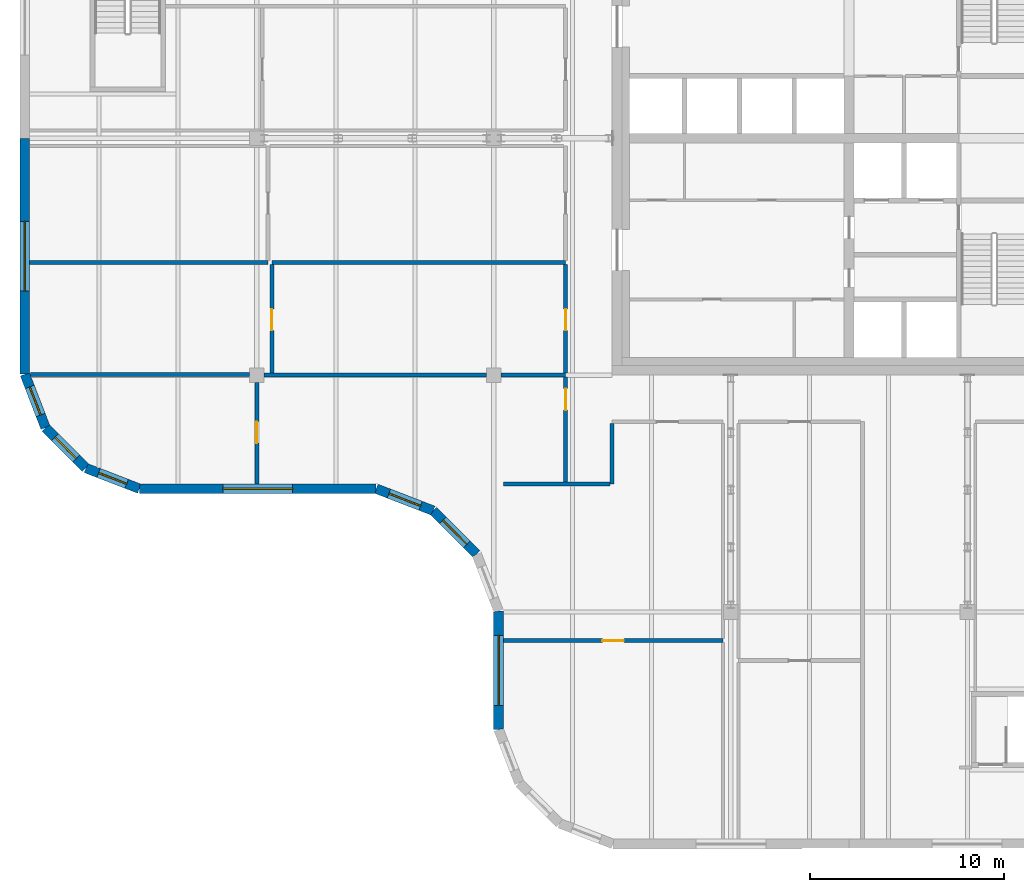
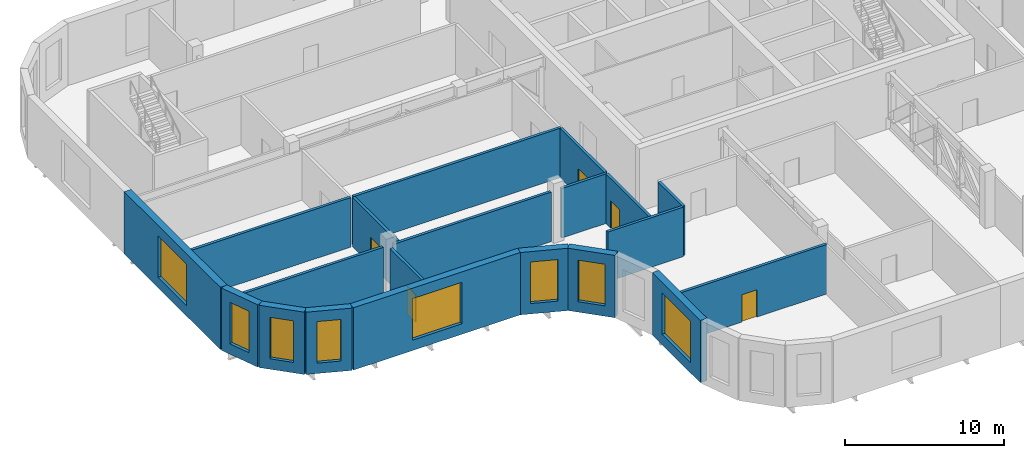
# One storey, part 5 of 12: 20 walls, 8 windows, 5 doors, 13 openings.
"""IFC4 building model written with IfcOpenShell, lengths in metres."""

import ifcopenshell
import ifcopenshell.guid

model = None  # the IFC model being written
_history = None  # IfcOwnerHistory: only IFC2X3 demands one
_inside = {}  # id of a spatial element -> (the spatial element, [elements in it])
_under = {}  # id of a project, library or spatial element -> (it, [spatial elements below it])
_declared = {}  # id of a project -> (the project, [libraries it declares])
_typed = {}  # id of a type object -> (the type object, [elements of that type])
_made_of = {}  # id of a material, layer set ... -> (it, [elements and type objects made of it])


def new_model(schema):
    """Start an empty IFC model of exactly this schema.

    Asked for "IFC4X3", IfcOpenShell would pick the latest addendum, in which some entities
    have other attributes; the version numbers below select the first issue.
    IFC2X3 requires an IfcOwnerHistory on every rooted entity: one is made here for all.
    """
    global model, _history
    if schema == "IFC4X3":
        model = ifcopenshell.file(schema_version=(4, 3, 0, 0))
    else:
        model = ifcopenshell.file(schema=schema)
    _inside.clear()
    _under.clear()
    _declared.clear()
    _typed.clear()
    _made_of.clear()
    _history = None
    if model.schema == "IFC2X3":
        org = make("IfcOrganization", Name="unknown")
        user = make(
            "IfcPersonAndOrganization",
            ThePerson=make("IfcPerson", FamilyName="unknown"),
            TheOrganization=org,
        )
        app = make(
            "IfcApplication",
            ApplicationDeveloper=org,
            Version="unknown",
            ApplicationFullName="unknown",
            ApplicationIdentifier="unknown",
        )
        _history = make(
            "IfcOwnerHistory",
            OwningUser=user,
            OwningApplication=app,
            ChangeAction="ADDED",
            CreationDate=0,
        )
    return model


def make(cls, **values):
    """One entity of the class cls with the attributes given. An attribute that is None is left unset."""
    return model.create_entity(
        cls, **{name: value for name, value in values.items() if value is not None}
    )


def rooted(cls, **values):
    """An entity with a GlobalId (a new one), such as an element, a storey or a relation."""
    return make(cls, GlobalId=ifcopenshell.guid.new(), OwnerHistory=_history, **values)


def si_unit(unit_type, name, prefix=None):
    """IfcSIUnit, for example si_unit("LENGTHUNIT", "METRE", prefix="MILLI")."""
    return make("IfcSIUnit", UnitType=unit_type, Prefix=prefix, Name=name)


def assignment(units):
    """IfcUnitAssignment: the units of a project."""
    return None if units is None else make("IfcUnitAssignment", Units=units)


def point(xyz):
    """IfcCartesianPoint."""
    return None if xyz is None else make("IfcCartesianPoint", Coordinates=xyz)


def direction(xyz):
    """IfcDirection."""
    return None if xyz is None else make("IfcDirection", DirectionRatios=xyz)


def frame(location, z_axis=None, x_axis=None):
    """IfcAxis2Placement3D, a coordinate frame: its origin and axes. An axis left out is left unset."""
    return make(
        "IfcAxis2Placement3D",
        Location=point(location),
        Axis=direction(z_axis),
        RefDirection=direction(x_axis),
    )


def frame_2d(location, x_axis=None):
    """IfcAxis2Placement2D, a coordinate frame in the plane: its origin and x axis."""
    return make(
        "IfcAxis2Placement2D", Location=point(location), RefDirection=direction(x_axis)
    )


def origin():
    """The frame at (0, 0, 0) with its axes left unset."""
    return frame((0.0, 0.0, 0.0))


def place(relative_to, where):
    """IfcLocalPlacement: puts the frame where relative to a parent placement (None: the world)."""
    return make(
        "IfcLocalPlacement", PlacementRelTo=relative_to, RelativePlacement=where
    )


def context(
    kind, dimensions, precision=None, world=None, true_north=None, identifier=None
):
    """IfcGeometricRepresentationContext, for example the 3D "Model" context."""
    return make(
        "IfcGeometricRepresentationContext",
        ContextIdentifier=identifier,
        ContextType=kind,
        CoordinateSpaceDimension=dimensions,
        Precision=precision,
        WorldCoordinateSystem=world,
        TrueNorth=true_north,
    )


def subcontext(parent, identifier, kind, view, scale=None):
    """IfcGeometricRepresentationSubContext, for example "Body" below "Model"."""
    return make(
        "IfcGeometricRepresentationSubContext",
        ContextIdentifier=identifier,
        ContextType=kind,
        ParentContext=parent,
        TargetScale=scale,
        TargetView=view,
    )


def project(units=None, contexts=None):
    """IfcProject with its units and contexts."""
    return rooted(
        "IfcProject",
        Name="project",
        RepresentationContexts=contexts,
        UnitsInContext=assignment(units),
    )


def spatial(cls, under=None, at=None, **own):
    """A site, building, storey or space (cls), placed at a placement, below another one or the project."""
    s = rooted(cls, ObjectPlacement=at, **own)
    if under is not None:
        _under.setdefault(under.id(), (under, []))[1].append(s)
    return s


def polyline(points):
    """IfcPolyline through the points."""
    return make("IfcPolyline", Points=[point(p) for p in points])


def profile(cls, at=None, kind="AREA", **sizes):
    """A parametric profile (cls). Its sizes go by their IFC names, for example OverallWidth=200.0."""
    return make(cls, ProfileType=kind, Position=at, **sizes)


def rectangle(**sizes):
    """IfcRectangleProfileDef."""
    return profile("IfcRectangleProfileDef", **sizes)


def outline(outer, holes=None, kind="AREA"):
    """IfcArbitraryClosedProfileDef: a profile drawn as a closed curve; with holes, ...WithVoids."""
    if holes is None:
        return make("IfcArbitraryClosedProfileDef", ProfileType=kind, OuterCurve=outer)
    return make(
        "IfcArbitraryProfileDefWithVoids",
        ProfileType=kind,
        OuterCurve=outer,
        InnerCurves=holes,
    )


def extrude(swept, where, along, depth):
    """IfcExtrudedAreaSolid: the profile swept, set in the frame where, extruded along a direction by depth."""
    return make(
        "IfcExtrudedAreaSolid",
        SweptArea=swept,
        Position=where,
        ExtrudedDirection=direction(along),
        Depth=depth,
    )


def faces_of(points, faces, orient=None, outer=None):
    """IfcFace entities. A face is a list of loops; a loop is a list of indices into points, from 0.

    orient and outer hold one flag for each loop. By default every Orientation is true, the
    first loop of a face is its IfcFaceOuterBound and the others are IfcFaceBound.
    """
    made = []
    for i, loops in enumerate(faces):
        bounds = []
        for j, loop in enumerate(loops):
            is_outer = j == 0 if outer is None else outer[i][j]
            bounds.append(
                make(
                    "IfcFaceOuterBound" if is_outer else "IfcFaceBound",
                    Bound=make("IfcPolyLoop", Polygon=[points[k] for k in loop]),
                    Orientation=True if orient is None else orient[i][j],
                )
            )
        made.append(make("IfcFace", Bounds=bounds))
    return made


def faceted_brep(points, faces, orient=None, outer=None, voids=None):
    """IfcFacetedBrep: a solid bounded by flat faces; with voids (closed shells), ...WithVoids."""
    shared = [point(p) for p in points]
    hull = make("IfcClosedShell", CfsFaces=faces_of(shared, faces, orient, outer))
    if voids is None:
        return make("IfcFacetedBrep", Outer=hull)
    return make(
        "IfcFacetedBrepWithVoids",
        Outer=hull,
        Voids=[
            make(cls, CfsFaces=faces_of(shared, fs, o, b)) for cls, fs, o, b in voids
        ],
    )


def shape(context_of_items, identifier, shape_type, items):
    """IfcShapeRepresentation: the items that make up one representation, for example the "Body"."""
    return make(
        "IfcShapeRepresentation",
        ContextOfItems=context_of_items,
        RepresentationIdentifier=identifier,
        RepresentationType=shape_type,
        Items=items,
    )


def source(mapping_origin, context_of_items, identifier, shape_type, items):
    """IfcRepresentationMap: a shape defined once, which mapped items show again and again."""
    return make(
        "IfcRepresentationMap",
        MappingOrigin=mapping_origin,
        MappedRepresentation=shape(context_of_items, identifier, shape_type, items),
    )


def transform(
    local_origin,
    x_axis=None,
    y_axis=None,
    z_axis=None,
    scale=None,
    scale2=None,
    scale3=None,
    uniform=True,
):
    """IfcCartesianTransformationOperator3D, or its non-uniform kind. x_axis, y_axis, z_axis: its Axis1, 2, 3."""
    if uniform:
        return make(
            "IfcCartesianTransformationOperator3D",
            Axis1=direction(x_axis),
            Axis2=direction(y_axis),
            LocalOrigin=point(local_origin),
            Scale=scale,
            Axis3=direction(z_axis),
        )
    return make(
        "IfcCartesianTransformationOperator3DnonUniform",
        Axis1=direction(x_axis),
        Axis2=direction(y_axis),
        LocalOrigin=point(local_origin),
        Scale=scale,
        Axis3=direction(z_axis),
        Scale2=scale2,
        Scale3=scale3,
    )


def mapped(mapping_source, mapping_target):
    """IfcMappedItem: shows the shape of a source again, moved by a transform."""
    return make(
        "IfcMappedItem", MappingSource=mapping_source, MappingTarget=mapping_target
    )


def material(Name=None, Category=None):
    """IfcMaterial."""
    return make("IfcMaterial", Name=Name, Category=Category)


def layer(
    of_material, thickness, ventilated=None, Name=None, Category=None, Priority=None
):
    """IfcMaterialLayer: one layer of a wall or slab, of a material (None: an air gap)."""
    return make(
        "IfcMaterialLayer",
        Material=of_material,
        LayerThickness=thickness,
        IsVentilated=ventilated,
        Name=Name,
        Category=Category,
        Priority=Priority,
    )


def layer_set(layers, Name=None):
    """IfcMaterialLayerSet."""
    return make("IfcMaterialLayerSet", MaterialLayers=layers, LayerSetName=Name)


def made_of(thing, what):
    """Note that an element or type object is made of a material, layer set ...; save() writes the relation."""
    if what is not None:
        _made_of.setdefault(what.id(), (what, []))[1].append(thing)
    return thing


def type_object(cls, material=None, **own):
    """A type object (cls), such as IfcWallType, which elements share."""
    return made_of(rooted(cls, **own), material)


def element(
    cls,
    number,
    at=None,
    inside=None,
    cuts=None,
    type_object=None,
    material=None,
    context=None,
    identifier="Body",
    shape_type=None,
    held_by="IfcProductDefinitionShape",
    body=None,
    shapes=None,
    **own,
):
    """One element of the class cls, such as IfcWall. Its Tag is "e" and its number.

    at: its placement. inside: the storey or other place that contains it. cuts: it is an
    opening in that element (IfcRelVoidsElement). A single representation is given by context,
    identifier, shape_type and body (its items); several are given by shapes. held_by: the class
    of the entity that holds the representations. save() writes the other relations.
    """
    e = rooted(cls, Tag="e%d" % number, ObjectPlacement=at, **own)
    if body is not None:
        shapes = [shape(context, identifier, shape_type, body)]
    if shapes is not None:
        e.Representation = make(held_by, Representations=shapes)
    if inside is not None:
        _inside.setdefault(inside.id(), (inside, []))[1].append(e)
    if cuts is not None:
        rooted(
            "IfcRelVoidsElement", RelatingBuildingElement=cuts, RelatedOpeningElement=e
        )
    if type_object is not None:
        _typed.setdefault(type_object.id(), (type_object, []))[1].append(e)
    return made_of(e, material)


def fill(opening, filler):
    """IfcRelFillsElement: the door or window that sits in an opening."""
    return rooted(
        "IfcRelFillsElement",
        RelatingOpeningElement=opening,
        RelatedBuildingElement=filler,
    )


def aggregate(whole, parts):
    """IfcRelAggregates: a whole, such as a stair, and the parts it consists of."""
    return rooted("IfcRelAggregates", RelatingObject=whole, RelatedObjects=parts)


def save(model, path):
    """Write the relations noted so far, then the file.

    IfcRelAggregates (storeys below a building ...), IfcRelContainedInSpatialStructure (elements
    in a storey), IfcRelDefinesByType, IfcRelAssociatesMaterial and IfcRelDeclares: one each for
    every whole, place, type object, material and project.
    """
    for whole, parts in _under.values():
        aggregate(whole, parts)
    for where, things in _inside.values():
        rooted(
            "IfcRelContainedInSpatialStructure",
            RelatedElements=things,
            RelatingStructure=where,
        )
    for kind, things in _typed.values():
        rooted("IfcRelDefinesByType", RelatedObjects=things, RelatingType=kind)
    for what, things in _made_of.values():
        rooted("IfcRelAssociatesMaterial", RelatedObjects=things, RelatingMaterial=what)
    for by, libraries in _declared.values():
        rooted("IfcRelDeclares", RelatingContext=by, RelatedDefinitions=libraries)
    model.write(path)


model = new_model("IFC4")

# Units and contexts
model_context = context("Model", 3, precision=1e-05, world=origin(), true_north=direction((0.0, 1.0)))
body_context = subcontext(model_context, "Body", "Model", "MODEL_VIEW")
ifc_project = project(units=[si_unit("LENGTHUNIT", "METRE"), si_unit("AREAUNIT", "SQUARE_METRE"), si_unit("VOLUMEUNIT", "CUBIC_METRE"), si_unit("PLANEANGLEUNIT", "RADIAN"), si_unit("MASSUNIT", "GRAM", prefix="KILO")], contexts=[model_context])

# Site, building, storey
site_placement = place(None, origin())
site = spatial("IfcSite", under=ifc_project, at=site_placement, CompositionType="ELEMENT")
building_placement = place(site_placement, origin())
building = spatial("IfcBuilding", under=site, at=building_placement, Name="Tessera Gate Towers", CompositionType="ELEMENT")
storey_placement = place(building_placement, frame((0.0, 0.0, 232.10009765625)))
storey = spatial("IfcBuildingStorey", under=building, at=storey_placement, Name="L58", CompositionType="ELEMENT", Elevation=232.10009765625)

# Wall, opening, door
ifc_material_1 = material(Name="Concrete masonry unit", Category="masonry")
ifc_layer_1 = layer(ifc_material_1, 0.199951171875)
ifc_layer_set_1 = layer_set([ifc_layer_1], Name="PLANT WALL 200")
wall_type_1 = type_object("IfcWallType", Name="PLANT WALL 200", PredefinedType="PARTITIONING", material=ifc_layer_set_1)
wall_1_placement = place(storey_placement, frame((36.199951171875, 10.72509765625, 0.0), z_axis=(0.0, 0.0, 1.0), x_axis=(-1.0, 0.0, 0.0)))
wall_1 = element("IfcWall", 1, at=wall_1_placement, inside=storey, type_object=wall_type_1, Name="T1-L58-PW-008", PredefinedType="PARTITIONING", context=body_context, shape_type="SweptSolid", body=[
    extrude(rectangle(XDim=11.300048828125, YDim=0.199951171875, at=frame_2d((5.64990234375, 0.0))), origin(), (0.0, 0.0, 1.0), 3.81689453125),
])
shared_shape_1 = source(origin(), body_context, "Body", "SweptSolid", [
    extrude(rectangle(XDim=1.10009765625, YDim=2.10009765625, at=frame_2d((0.550048828125, 1.050048828125))), frame((0.0, 0.10986328125, 0.0), z_axis=(0.0, -1.0, 0.0), x_axis=(1.0, 0.0, 0.0)), (0.0, 0.0, 1.0), 0.219970703125),
])
opening_1_placement = place(wall_1_placement, frame((5.10009765625, 0.0, 0.0)))
opening_1 = element("IfcOpeningElement", 2, at=opening_1_placement, cuts=wall_1, Name="Opening D5110FD90-A32-19", PredefinedType="OPENING", context=body_context, shape_type="MappedRepresentation", body=[
    mapped(shared_shape_1, transform((0.0, 0.0, 0.0), scale=1.0)),
])
ifc_material_2 = material(Name="Timber door leaf in steel frame", Category="steel")
door_type = type_object("IfcDoorType", Name="PLANT DOOR 1100 FD90", OperationType="NOTDEFINED", PredefinedType="DOOR", material=ifc_material_2)
shared_shape_2 = source(origin(), body_context, "Body", "SweptSolid", [
    extrude(rectangle(XDim=1.10009765625, YDim=2.10009765625, at=frame_2d((0.550048828125, 1.050048828125))), frame((0.0, 0.02490234375, 0.0), z_axis=(0.0, -1.0, 0.0), x_axis=(1.0, 0.0, 0.0)), (0.0, 0.0, 1.0), 0.050048828125),
])
door_1_placement = place(opening_1_placement, origin())
door_1 = element("IfcDoor", 3, at=door_1_placement, inside=storey, type_object=door_type, Name="T1-L58-PD-019", OperationType="SINGLE_SWING_RIGHT", OverallHeight=2.10009765625, OverallWidth=1.10009765625, PredefinedType="DOOR", context=body_context, shape_type="MappedRepresentation", body=[
    mapped(shared_shape_2, transform((0.0, 0.0, 0.0), scale=1.0)),
])
fill(opening_1, door_1)

wall_2_placement = place(storey_placement, frame((12.199951171875, 18.800048828125, 0.0), z_axis=(0.0, 0.0, 1.0), x_axis=(0.0, 1.0, 0.0)))
wall_2 = element("IfcWall", 4, at=wall_2_placement, inside=storey, type_object=wall_type_1, Name="T1-L58-PW-010", PredefinedType="PARTITIONING", context=body_context, shape_type="SweptSolid", body=[
    extrude(rectangle(XDim=5.223876953125, YDim=0.199951171875, at=frame_2d((2.61181640625, 0.0))), origin(), (0.0, 0.0, 1.0), 3.81689453125),
])
opening_2_placement = place(wall_2_placement, frame((2.10009765625, 0.0, 0.0)))
opening_2 = element("IfcOpeningElement", 5, at=opening_2_placement, cuts=wall_2, Name="Opening D5110FD90-A32-03", PredefinedType="OPENING", context=body_context, shape_type="MappedRepresentation", body=[
    mapped(shared_shape_1, transform((0.0, 0.0, 0.0), scale=1.0)),
])
door_2_placement = place(opening_2_placement, origin())
door_2 = element("IfcDoor", 6, at=door_2_placement, inside=storey, type_object=door_type, Name="T1-L58-PD-003", OperationType="SINGLE_SWING_LEFT", OverallHeight=2.10009765625, OverallWidth=1.10009765625, PredefinedType="DOOR", context=body_context, shape_type="MappedRepresentation", body=[
    mapped(shared_shape_2, transform((0.0, 0.0, 0.0), scale=1.0)),
])
fill(opening_2, door_2)

# Walls
wall_3_placement = place(storey_placement, frame((24.89990234375, 18.800048828125, 0.0), z_axis=(0.0, 0.0, 1.0), x_axis=(1.0, 0.0, 0.0)))
element("IfcWall", 7, at=wall_3_placement, inside=storey, type_object=wall_type_1, Name="T1-L58-PW-011", PredefinedType="PARTITIONING", context=body_context, shape_type="SweptSolid", body=[
    extrude(rectangle(XDim=5.4990234375, YDim=0.199951171875, at=frame_2d((2.74951171875, 0.0))), origin(), (0.0, 0.0, 1.0), 3.81689453125),
])
wall_4_placement = place(storey_placement, frame((30.5, 18.800048828125, 0.0), z_axis=(0.0, 0.0, 1.0), x_axis=(0.0, 1.0, 0.0)))
element("IfcWall", 8, at=wall_4_placement, inside=storey, type_object=wall_type_1, Name="T1-L58-PW-012", PredefinedType="PARTITIONING", context=body_context, shape_type="SweptSolid", body=[
    extrude(rectangle(XDim=3.098876953125, YDim=0.199951171875, at=frame_2d((1.54931640625, 0.0))), origin(), (0.0, 0.0, 1.0), 3.81689453125),
])

# Wall, opening, door
wall_5_placement = place(storey_placement, frame((28.10009765625, 18.90087890625, 0.0), z_axis=(0.0, 0.0, 1.0), x_axis=(0.0, 1.0, 0.0)))
wall_5 = element("IfcWall", 9, at=wall_5_placement, inside=storey, type_object=wall_type_1, Name="T1-L58-PW-013", PredefinedType="PARTITIONING", context=body_context, shape_type="SweptSolid", body=[
    extrude(rectangle(XDim=5.398193359375, YDim=0.199951171875, at=frame_2d((2.69921875, 0.0))), origin(), (0.0, 0.0, 1.0), 3.81689453125),
])
opening_3_placement = place(wall_5_placement, frame((3.699951171875, 0.0, 0.0)))
opening_3 = element("IfcOpeningElement", 10, at=opening_3_placement, cuts=wall_5, Name="Opening D5110FD90-A32-01", PredefinedType="OPENING", context=body_context, shape_type="MappedRepresentation", body=[
    mapped(shared_shape_1, transform((0.0, 0.0, 0.0), scale=1.0)),
])
door_3_placement = place(opening_3_placement, origin())
door_3 = element("IfcDoor", 11, at=door_3_placement, inside=storey, type_object=door_type, Name="T1-L58-PD-001", OperationType="SINGLE_SWING_RIGHT", OverallHeight=2.10009765625, OverallWidth=1.10009765625, PredefinedType="DOOR", context=body_context, shape_type="MappedRepresentation", body=[
    mapped(shared_shape_2, transform((0.0, 0.0, 0.0), scale=1.0)),
])
fill(opening_3, door_3)

# Walls
wall_6_placement = place(storey_placement, frame((0.535888671875, 24.43994140625, 0.0), z_axis=(0.0, 0.0, 1.0), x_axis=(1.0, 0.0, 0.0)))
element("IfcWall", 12, at=wall_6_placement, inside=storey, type_object=wall_type_1, Name="T1-L58-PW-019", PredefinedType="PARTITIONING", context=body_context, shape_type="SweptSolid", body=[
    extrude(rectangle(XDim=11.2880859375, YDim=0.199951171875, at=frame_2d((5.64404296875, 0.0))), origin(), (0.0, 0.0, 1.0), 3.81689453125),
])
wall_7_placement = place(storey_placement, frame((12.575927734375, 24.39990234375, 0.0), z_axis=(0.0, 0.0, 1.0), x_axis=(1.0, 0.0, 0.0)))
element("IfcWall", 13, at=wall_7_placement, inside=storey, type_object=wall_type_1, Name="T1-L58-PW-020", PredefinedType="PARTITIONING", context=body_context, shape_type="SweptSolid", body=[
    extrude(rectangle(XDim=11.447998046875, YDim=0.199951171875, at=frame_2d((5.72412109375, 0.0))), origin(), (0.0, 0.0, 1.0), 3.81689453125),
])
wall_8_placement = place(storey_placement, frame((24.77587890625, 24.39990234375, 0.0), z_axis=(0.0, 0.0, 1.0), x_axis=(1.0, 0.0, 0.0)))
element("IfcWall", 14, at=wall_8_placement, inside=storey, type_object=wall_type_1, Name="T1-L58-PW-021", PredefinedType="PARTITIONING", context=body_context, shape_type="SweptSolid", body=[
    extrude(rectangle(XDim=3.32421875, YDim=0.199951171875, at=frame_2d((1.662109375, 0.0))), origin(), (0.0, 0.0, 1.0), 3.81689453125),
])

# Wall, opening, door
wall_9_placement = place(storey_placement, frame((12.97509765625, 24.5009765625, 0.0), z_axis=(0.0, 0.0, 1.0), x_axis=(0.0, 1.0, 0.0)))
wall_9 = element("IfcWall", 15, at=wall_9_placement, inside=storey, type_object=wall_type_1, Name="T1-L58-PW-022", PredefinedType="PARTITIONING", context=body_context, shape_type="SweptSolid", body=[
    extrude(rectangle(XDim=5.59814453125, YDim=0.199951171875, at=frame_2d((2.799072265625, 0.0))), origin(), (0.0, 0.0, 1.0), 3.81689453125),
])
opening_4_placement = place(wall_9_placement, frame((2.199951171875, 0.0, 0.0)))
opening_4 = element("IfcOpeningElement", 16, at=opening_4_placement, cuts=wall_9, Name="Opening D5110FD90-A32-05", PredefinedType="OPENING", context=body_context, shape_type="MappedRepresentation", body=[
    mapped(shared_shape_1, transform((0.0, 0.0, 0.0), scale=1.0)),
])
door_4_placement = place(opening_4_placement, origin())
door_4 = element("IfcDoor", 17, at=door_4_placement, inside=storey, type_object=door_type, Name="T1-L58-PD-005", OperationType="SINGLE_SWING_LEFT", OverallHeight=2.10009765625, OverallWidth=1.10009765625, PredefinedType="DOOR", context=body_context, shape_type="MappedRepresentation", body=[
    mapped(shared_shape_2, transform((0.0, 0.0, 0.0), scale=1.0)),
])
fill(opening_4, door_4)

wall_10_placement = place(storey_placement, frame((28.10009765625, 24.5009765625, 0.0), z_axis=(0.0, 0.0, 1.0), x_axis=(0.0, 1.0, 0.0)))
wall_10 = element("IfcWall", 18, at=wall_10_placement, inside=storey, type_object=wall_type_1, Name="T1-L58-PW-023", PredefinedType="PARTITIONING", context=body_context, shape_type="SweptSolid", body=[
    extrude(rectangle(XDim=5.59814453125, YDim=0.199951171875, at=frame_2d((2.799072265625, 0.0))), origin(), (0.0, 0.0, 1.0), 3.81689453125),
])
opening_5_placement = place(wall_10_placement, frame((2.199951171875, 0.0, 0.0)))
opening_5 = element("IfcOpeningElement", 19, at=opening_5_placement, cuts=wall_10, Name="Opening D5110FD90-A32-04", PredefinedType="OPENING", context=body_context, shape_type="MappedRepresentation", body=[
    mapped(shared_shape_1, transform((0.0, 0.0, 0.0), scale=1.0)),
])
door_5_placement = place(opening_5_placement, origin())
door_5 = element("IfcDoor", 20, at=door_5_placement, inside=storey, type_object=door_type, Name="T1-L58-PD-004", OperationType="SINGLE_SWING_LEFT", OverallHeight=2.10009765625, OverallWidth=1.10009765625, PredefinedType="DOOR", context=body_context, shape_type="MappedRepresentation", body=[
    mapped(shared_shape_2, transform((0.0, 0.0, 0.0), scale=1.0)),
])
fill(opening_5, door_5)

# Walls
wall_11_placement = place(storey_placement, frame((0.5, 30.199951171875, 0.0), z_axis=(0.0, 0.0, 1.0), x_axis=(1.0, 0.0, 0.0)))
element("IfcWall", 21, at=wall_11_placement, inside=storey, type_object=wall_type_1, Name="T1-L58-PW-024", PredefinedType="PARTITIONING", context=body_context, shape_type="SweptSolid", body=[
    extrude(rectangle(XDim=12.27490234375, YDim=0.199951171875, at=frame_2d((6.137451171875, 0.0))), origin(), (0.0, 0.0, 1.0), 3.81689453125),
])
wall_12_placement = place(storey_placement, frame((12.97509765625, 30.199951171875, 0.0), z_axis=(0.0, 0.0, 1.0), x_axis=(1.0, 0.0, 0.0)))
element("IfcWall", 22, at=wall_12_placement, inside=storey, type_object=wall_type_1, Name="T1-L58-PW-025", PredefinedType="PARTITIONING", context=body_context, shape_type="SweptSolid", body=[
    extrude(rectangle(XDim=15.125, YDim=0.199951171875, at=frame_2d((7.5625, 0.0))), origin(), (0.0, 0.0, 1.0), 3.81689453125),
])

# Wall, opening, window
ifc_material_3 = material(Name="Precast concrete C60/75 white", Category="concrete")
ifc_layer_2 = layer(ifc_material_3, 0.5)
ifc_layer_set_2 = layer_set([ifc_layer_2], Name="RB1 ring band panel")
wall_type_2 = type_object("IfcWallType", Name="RB1 ring band panel", PredefinedType="SOLIDWALL", material=ifc_layer_set_2)
shared_shape_3 = source(origin(), body_context, "Body", "Brep", [
    faceted_brep([(0.0, -0.25, 0.0), (12.153564453125, -0.25, 0.0), (12.153564453125, -0.25, 4.7998046875), (0.0, -0.25, 4.7998046875), (0.0, 0.25, 4.7998046875), (12.10693359375, 0.25, 4.7998046875), (12.10693359375, 0.25, 0.0), (0.0, 0.25, 0.0), (12.153564453125, -0.00048828125, 0.0), (12.153564453125, -0.00048828125, 4.7998046875)], [[[0, 1, 2, 3]], [[4, 5, 6, 7]], [[7, 6, 8, 1, 0]], [[9, 2, 1, 8]], [[5, 4, 3, 2, 9]], [[4, 7, 0, 3]], [[8, 6, 5, 9]]]),
])
wall_13_placement = place(storey_placement, frame((0.25, 36.60009765625, 0.0), z_axis=(0.0, 0.0, 1.0), x_axis=(0.0, -1.0, 0.0)))
wall_13 = element("IfcWall", 23, at=wall_13_placement, inside=storey, type_object=wall_type_2, Name="Ring band panel T1 RB1-0085", PredefinedType="SOLIDWALL", context=body_context, shape_type="MappedRepresentation", body=[
    mapped(shared_shape_3, transform((0.0, 0.0, 0.0), scale=1.0)),
])
shared_shape_4 = source(origin(), body_context, "Body", "SweptSolid", [
    extrude(outline(polyline([(4.276611328125, 0.7998046875), (7.876708984375, 0.7998046875), (7.876708984375, 4.0), (4.276611328125, 4.0), (4.276611328125, 0.7998046875)])), frame((0.0, 0.260009765625, 0.0), z_axis=(0.0, -1.0, 0.0), x_axis=(1.0, 0.0, 0.0)), (0.0, 0.0, 1.0), 0.52001953125),
])
opening_6_placement = place(wall_13_placement, origin())
opening_6 = element("IfcOpeningElement", 24, at=opening_6_placement, cuts=wall_13, Name="Opening T1-WN-LV1-0085", PredefinedType="OPENING", context=body_context, shape_type="MappedRepresentation", body=[
    mapped(shared_shape_4, transform((0.0, 0.0, 0.0), scale=1.0)),
])
ifc_material_4 = material(Name="Aluminium louvre", Category="aluminium")
ifc_layer_3 = layer(ifc_material_4, 0.06005859375)
ifc_layer_set_3 = layer_set([ifc_layer_3], Name="LV1 louvre")
window_type = type_object("IfcWindowType", Name="LV1 louvre", PartitioningType="USERDEFINED", PredefinedType="WINDOW", material=ifc_layer_set_3)
shared_shape_5 = source(origin(), body_context, "Body", "SweptSolid", [
    extrude(outline(polyline([(4.276611328125, 0.7998046875), (7.876708984375, 0.7998046875), (7.876708984375, 4.0), (4.276611328125, 4.0), (4.276611328125, 0.7998046875)])), frame((0.0, 0.030029296875, 0.0), z_axis=(0.0, -1.0, 0.0), x_axis=(1.0, 0.0, 0.0)), (0.0, 0.0, 1.0), 0.06005859375),
])
window_1_placement = place(opening_6_placement, origin())
window_1 = element("IfcWindow", 25, at=window_1_placement, inside=storey, type_object=window_type, Name="Louvre T1 WN-LV1-0085", OverallHeight=3.2001953125, OverallWidth=3.60009765625, PartitioningType="USERDEFINED", PredefinedType="WINDOW", context=body_context, shape_type="MappedRepresentation", body=[
    mapped(shared_shape_5, transform((0.0, 0.0, 0.0), scale=1.0)),
])
fill(opening_6, window_1)

shared_shape_6 = source(origin(), body_context, "Body", "Brep", [
    faceted_brep([(0.0, -0.25, 0.0), (2.950439453125, -0.25, 0.0), (2.950439453125, -0.25, 4.7998046875), (0.0, -0.25, 4.7998046875), (0.046630859375, 0.25, 4.7998046875), (2.897705078125, 0.25, 4.7998046875), (2.897705078125, 0.25, 0.0), (0.046630859375, 0.25, 0.0), (2.950439453125, 0.00048828125, 0.0), (0.0, 0.0, 0.0), (2.950439453125, 0.00048828125, 4.7998046875), (0.0, 0.0, 4.7998046875)], [[[0, 1, 2, 3]], [[4, 5, 6, 7]], [[7, 6, 8, 1, 0, 9]], [[10, 2, 1, 8]], [[5, 4, 11, 3, 2, 10]], [[9, 0, 3, 11]], [[7, 9, 11, 4]], [[8, 6, 5, 10]]]),
])
wall_14_placement = place(storey_placement, frame((0.25, 24.446533203125, 0.0), z_axis=(0.0, 0.0, 1.0), x_axis=(0.359877213415, -0.932999673775, 0.0)))
wall_14 = element("IfcWall", 26, at=wall_14_placement, inside=storey, type_object=wall_type_2, Name="Ring band panel T1 RB1-0086", PredefinedType="SOLIDWALL", context=body_context, shape_type="MappedRepresentation", body=[
    mapped(shared_shape_6, transform((0.0, 0.0, 0.0), scale=1.0)),
])
shared_shape_7 = source(origin(), body_context, "Body", "SweptSolid", [
    extrude(outline(polyline([(0.699951171875, 0.7998046875), (2.25048828125, 0.7998046875), (2.25048828125, 4.0), (0.699951171875, 4.0), (0.699951171875, 0.7998046875)])), frame((0.0, 0.260009765625, 0.0), z_axis=(0.0, -1.0, 0.0), x_axis=(1.0, 0.0, 0.0)), (0.0, 0.0, 1.0), 0.52001953125),
])
opening_7_placement = place(wall_14_placement, origin())
opening_7 = element("IfcOpeningElement", 27, at=opening_7_placement, cuts=wall_14, Name="Opening T1-WN-LV1-0086", PredefinedType="OPENING", context=body_context, shape_type="MappedRepresentation", body=[
    mapped(shared_shape_7, transform((0.0, 0.0, 0.0), scale=1.0)),
])
shared_shape_8 = source(origin(), body_context, "Body", "SweptSolid", [
    extrude(outline(polyline([(0.699951171875, 0.7998046875), (2.25048828125, 0.7998046875), (2.25048828125, 4.0), (0.699951171875, 4.0), (0.699951171875, 0.7998046875)])), frame((0.0, 0.030029296875, 0.0), z_axis=(0.0, -1.0, 0.0), x_axis=(1.0, 0.0, 0.0)), (0.0, 0.0, 1.0), 0.06005859375),
])
window_2_placement = place(opening_7_placement, origin())
window_2 = element("IfcWindow", 28, at=window_2_placement, inside=storey, type_object=window_type, Name="Louvre T1 WN-LV1-0086", OverallHeight=3.2001953125, OverallWidth=1.550537109375, PartitioningType="USERDEFINED", PredefinedType="WINDOW", context=body_context, shape_type="MappedRepresentation", body=[
    mapped(shared_shape_8, transform((0.0, 0.0, 0.0), scale=1.0)),
])
fill(opening_7, window_2)

shared_shape_9 = source(origin(), body_context, "Body", "Brep", [
    faceted_brep([(0.0, -0.25, 0.0), (2.944091796875, -0.25, 0.0), (2.944091796875, -0.25, 4.7998046875), (0.0, -0.25, 4.7998046875), (0.052978515625, 0.25, 4.7998046875), (2.89111328125, 0.25, 4.7998046875), (2.89111328125, 0.25, 0.0), (0.052978515625, 0.25, 0.0), (2.944091796875, 0.000244140625, 0.0), (0.0, 0.0, 0.0), (2.944091796875, 0.000244140625, 4.7998046875), (0.0, 0.0, 4.7998046875)], [[[0, 1, 2, 3]], [[4, 5, 6, 7]], [[7, 6, 8, 1, 0, 9]], [[10, 2, 1, 8]], [[5, 4, 11, 3, 2, 10]], [[9, 0, 3, 11]], [[7, 9, 11, 4]], [[8, 6, 5, 10]]]),
])
wall_15_placement = place(storey_placement, frame((1.31201171875, 21.69384765625, 0.0), z_axis=(0.0, 0.0, 1.0), x_axis=(0.707106781187, -0.707106781187, 0.0)))
wall_15 = element("IfcWall", 29, at=wall_15_placement, inside=storey, type_object=wall_type_2, Name="Ring band panel T1 RB1-0087", PredefinedType="SOLIDWALL", context=body_context, shape_type="MappedRepresentation", body=[
    mapped(shared_shape_9, transform((0.0, 0.0, 0.0), scale=1.0)),
])
shared_shape_10 = source(origin(), body_context, "Body", "SweptSolid", [
    extrude(outline(polyline([(0.699951171875, 0.7998046875), (2.244140625, 0.7998046875), (2.244140625, 4.0), (0.699951171875, 4.0), (0.699951171875, 0.7998046875)])), frame((0.0, 0.260009765625, 0.0), z_axis=(0.0, -1.0, 0.0), x_axis=(1.0, 0.0, 0.0)), (0.0, 0.0, 1.0), 0.52001953125),
])
opening_8_placement = place(wall_15_placement, origin())
opening_8 = element("IfcOpeningElement", 30, at=opening_8_placement, cuts=wall_15, Name="Opening T1-WN-LV1-0087", PredefinedType="OPENING", context=body_context, shape_type="MappedRepresentation", body=[
    mapped(shared_shape_10, transform((0.0, 0.0, 0.0), scale=1.0)),
])
shared_shape_11 = source(origin(), body_context, "Body", "SweptSolid", [
    extrude(outline(polyline([(0.699951171875, 0.7998046875), (2.244140625, 0.7998046875), (2.244140625, 4.0), (0.699951171875, 4.0), (0.699951171875, 0.7998046875)])), frame((0.0, 0.030029296875, 0.0), z_axis=(0.0, -1.0, 0.0), x_axis=(1.0, 0.0, 0.0)), (0.0, 0.0, 1.0), 0.06005859375),
])
window_3_placement = place(opening_8_placement, origin())
window_3 = element("IfcWindow", 31, at=window_3_placement, inside=storey, type_object=window_type, Name="Louvre T1 WN-LV1-0087", OverallHeight=3.2001953125, OverallWidth=1.544189453125, PartitioningType="USERDEFINED", PredefinedType="WINDOW", context=body_context, shape_type="MappedRepresentation", body=[
    mapped(shared_shape_11, transform((0.0, 0.0, 0.0), scale=1.0)),
])
fill(opening_8, window_3)

shared_shape_12 = source(origin(), body_context, "Body", "Brep", [
    faceted_brep([(0.0, -0.25, 0.0), (2.950439453125, -0.25, 0.0), (2.950439453125, -0.25, 4.7998046875), (0.0, -0.25, 4.7998046875), (0.052978515625, 0.25, 4.7998046875), (2.904052734375, 0.25, 4.7998046875), (2.904052734375, 0.25, 0.0), (0.052978515625, 0.25, 0.0), (2.950439453125, 0.00048828125, 0.0), (0.0, 0.0, 0.0), (2.950439453125, 0.00048828125, 4.7998046875), (0.0, 0.0, 4.7998046875)], [[[0, 1, 2, 3]], [[4, 5, 6, 7]], [[7, 6, 8, 1, 0, 9]], [[10, 2, 1, 8]], [[5, 4, 11, 3, 2, 10]], [[9, 0, 3, 11]], [[7, 9, 11, 4]], [[8, 6, 5, 10]]]),
])
wall_16_placement = place(storey_placement, frame((3.393798828125, 19.61181640625, 0.0), z_axis=(0.0, 0.0, 1.0), x_axis=(0.932999673775, -0.359877213415, 0.0)))
wall_16 = element("IfcWall", 32, at=wall_16_placement, inside=storey, type_object=wall_type_2, Name="Ring band panel T1 RB1-0088", PredefinedType="SOLIDWALL", context=body_context, shape_type="MappedRepresentation", body=[
    mapped(shared_shape_12, transform((0.0, 0.0, 0.0), scale=1.0)),
])
opening_9_placement = place(wall_16_placement, origin())
opening_9 = element("IfcOpeningElement", 33, at=opening_9_placement, cuts=wall_16, Name="Opening T1-WN-LV1-0088", PredefinedType="OPENING", context=body_context, shape_type="MappedRepresentation", body=[
    mapped(shared_shape_7, transform((0.0, 0.0, 0.0), scale=1.0)),
])
window_4_placement = place(opening_9_placement, origin())
window_4 = element("IfcWindow", 34, at=window_4_placement, inside=storey, type_object=window_type, Name="Louvre T1 WN-LV1-0088", OverallHeight=3.2001953125, OverallWidth=1.550537109375, PartitioningType="USERDEFINED", PredefinedType="WINDOW", context=body_context, shape_type="MappedRepresentation", body=[
    mapped(shared_shape_8, transform((0.0, 0.0, 0.0), scale=1.0)),
])
fill(opening_9, window_4)

shared_shape_13 = source(origin(), body_context, "Body", "Brep", [
    faceted_brep([(0.0, -0.25, 0.0), (12.153564453125, -0.25, 0.0), (12.153564453125, -0.25, 4.7998046875), (0.0, -0.25, 4.7998046875), (0.046630859375, 0.25, 4.7998046875), (12.199951171875, 0.25, 4.7998046875), (12.199951171875, 0.25, 0.0), (0.046630859375, 0.25, 0.0), (12.199951171875, -0.000244140625, 0.0), (0.0, 0.0, 0.0), (12.199951171875, -0.000244140625, 4.7998046875), (0.0, 0.0, 4.7998046875)], [[[0, 1, 2, 3]], [[4, 5, 6, 7]], [[7, 6, 8, 1, 0, 9]], [[6, 5, 10, 8]], [[5, 4, 11, 3, 2, 10]], [[9, 0, 3, 11]], [[7, 9, 11, 4]], [[1, 8, 10, 2]]]),
])
wall_17_placement = place(storey_placement, frame((6.146484375, 18.550048828125, 0.0), z_axis=(0.0, 0.0, 1.0), x_axis=(1.0, 0.0, 0.0)))
wall_17 = element("IfcWall", 35, at=wall_17_placement, inside=storey, type_object=wall_type_2, Name="Ring band panel T1 RB1-0089", PredefinedType="SOLIDWALL", context=body_context, shape_type="MappedRepresentation", body=[
    mapped(shared_shape_13, transform((0.0, 0.0, 0.0), scale=1.0)),
])
shared_shape_14 = source(origin(), body_context, "Body", "SweptSolid", [
    extrude(outline(polyline([(4.300048828125, 0.7998046875), (7.89990234375, 0.7998046875), (7.89990234375, 4.0), (4.300048828125, 4.0), (4.300048828125, 0.7998046875)])), frame((0.0, 0.260009765625, 0.0), z_axis=(0.0, -1.0, 0.0), x_axis=(1.0, 0.0, 0.0)), (0.0, 0.0, 1.0), 0.52001953125),
])
opening_10_placement = place(wall_17_placement, origin())
opening_10 = element("IfcOpeningElement", 36, at=opening_10_placement, cuts=wall_17, Name="Opening T1-WN-LV1-0089", PredefinedType="OPENING", context=body_context, shape_type="MappedRepresentation", body=[
    mapped(shared_shape_14, transform((0.0, 0.0, 0.0), scale=1.0)),
])
shared_shape_15 = source(origin(), body_context, "Body", "SweptSolid", [
    extrude(outline(polyline([(4.300048828125, 0.7998046875), (7.89990234375, 0.7998046875), (7.89990234375, 4.0), (4.300048828125, 4.0), (4.300048828125, 0.7998046875)])), frame((0.0, 0.030029296875, 0.0), z_axis=(0.0, -1.0, 0.0), x_axis=(1.0, 0.0, 0.0)), (0.0, 0.0, 1.0), 0.06005859375),
])
window_5_placement = place(opening_10_placement, origin())
window_5 = element("IfcWindow", 37, at=window_5_placement, inside=storey, type_object=window_type, Name="Louvre T1 WN-LV1-0089", OverallHeight=3.2001953125, OverallWidth=3.599853515625, PartitioningType="USERDEFINED", PredefinedType="WINDOW", context=body_context, shape_type="MappedRepresentation", body=[
    mapped(shared_shape_15, transform((0.0, 0.0, 0.0), scale=1.0)),
])
fill(opening_10, window_5)

shared_shape_16 = source(origin(), body_context, "Body", "Brep", [
    faceted_brep([(0.046630859375, -0.25, 0.0), (3.096435546875, -0.25, 0.0), (3.096435546875, -0.25, 4.7998046875), (0.046630859375, -0.25, 4.7998046875), (0.0, 0.25, 4.7998046875), (3.1494140625, 0.25, 4.7998046875), (3.1494140625, 0.25, 0.0), (0.0, 0.25, 0.0), (3.1494140625, -0.000244140625, 0.0), (0.0, 0.0, 0.0), (3.1494140625, -0.000244140625, 4.7998046875), (0.0, 0.0, 4.7998046875)], [[[0, 1, 2, 3]], [[4, 5, 6, 7]], [[7, 6, 8, 1, 0, 9]], [[6, 5, 10, 8]], [[5, 4, 11, 3, 2, 10]], [[4, 7, 9, 11]], [[9, 0, 3, 11]], [[1, 8, 10, 2]]]),
])
wall_18_placement = place(storey_placement, frame((18.346435546875, 18.550048828125, 0.0), z_axis=(0.0, 0.0, 1.0), x_axis=(0.932987528699, -0.35990869855, 0.0)))
wall_18 = element("IfcWall", 38, at=wall_18_placement, inside=storey, type_object=wall_type_2, Name="Ring band panel T1 RB1-0090", PredefinedType="SOLIDWALL", context=body_context, shape_type="MappedRepresentation", body=[
    mapped(shared_shape_16, transform((0.0, 0.0, 0.0), scale=1.0)),
])
shared_shape_17 = source(origin(), body_context, "Body", "SweptSolid", [
    extrude(outline(polyline([(0.699951171875, 0.7998046875), (2.449462890625, 0.7998046875), (2.449462890625, 4.0), (0.699951171875, 4.0), (0.699951171875, 0.7998046875)])), frame((0.0, 0.260009765625, 0.0), z_axis=(0.0, -1.0, 0.0), x_axis=(1.0, 0.0, 0.0)), (0.0, 0.0, 1.0), 0.52001953125),
])
opening_11_placement = place(wall_18_placement, origin())
opening_11 = element("IfcOpeningElement", 39, at=opening_11_placement, cuts=wall_18, Name="Opening T1-WN-LV1-0090", PredefinedType="OPENING", context=body_context, shape_type="MappedRepresentation", body=[
    mapped(shared_shape_17, transform((0.0, 0.0, 0.0), scale=1.0)),
])
shared_shape_18 = source(origin(), body_context, "Body", "SweptSolid", [
    extrude(outline(polyline([(0.699951171875, 0.7998046875), (2.449462890625, 0.7998046875), (2.449462890625, 4.0), (0.699951171875, 4.0), (0.699951171875, 0.7998046875)])), frame((0.0, 0.030029296875, 0.0), z_axis=(0.0, -1.0, 0.0), x_axis=(1.0, 0.0, 0.0)), (0.0, 0.0, 1.0), 0.06005859375),
])
window_6_placement = place(opening_11_placement, origin())
window_6 = element("IfcWindow", 40, at=window_6_placement, inside=storey, type_object=window_type, Name="Louvre T1 WN-LV1-0090", OverallHeight=3.2001953125, OverallWidth=1.74951171875, PartitioningType="USERDEFINED", PredefinedType="WINDOW", context=body_context, shape_type="MappedRepresentation", body=[
    mapped(shared_shape_18, transform((0.0, 0.0, 0.0), scale=1.0)),
])
fill(opening_11, window_6)

shared_shape_19 = source(origin(), body_context, "Body", "Brep", [
    faceted_brep([(0.052978515625, -0.25, 0.0), (3.10302734375, -0.25, 0.0), (3.10302734375, -0.25, 4.7998046875), (0.052978515625, -0.25, 4.7998046875), (0.0, 0.25, 4.7998046875), (3.15576171875, 0.25, 4.7998046875), (3.15576171875, 0.25, 0.0), (0.0, 0.25, 0.0), (3.15576171875, -0.00048828125, 0.0), (0.0, 0.0, 0.0), (3.15576171875, -0.00048828125, 4.7998046875), (0.0, 0.0, 4.7998046875)], [[[0, 1, 2, 3]], [[4, 5, 6, 7]], [[7, 6, 8, 1, 0, 9]], [[6, 5, 10, 8]], [[5, 4, 11, 3, 2, 10]], [[4, 7, 9, 11]], [[9, 0, 3, 11]], [[1, 8, 10, 2]]]),
])
wall_19_placement = place(storey_placement, frame((21.284912109375, 17.41650390625, 0.0), z_axis=(0.0, 0.0, 1.0), x_axis=(0.707106781187, -0.707106781187, 0.0)))
wall_19 = element("IfcWall", 41, at=wall_19_placement, inside=storey, type_object=wall_type_2, Name="Ring band panel T1 RB1-0091", PredefinedType="SOLIDWALL", context=body_context, shape_type="MappedRepresentation", body=[
    mapped(shared_shape_19, transform((0.0, 0.0, 0.0), scale=1.0)),
])
shared_shape_20 = source(origin(), body_context, "Body", "SweptSolid", [
    extrude(outline(polyline([(0.699951171875, 0.7998046875), (2.455810546875, 0.7998046875), (2.455810546875, 4.0), (0.699951171875, 4.0), (0.699951171875, 0.7998046875)])), frame((0.0, 0.260009765625, 0.0), z_axis=(0.0, -1.0, 0.0), x_axis=(1.0, 0.0, 0.0)), (0.0, 0.0, 1.0), 0.52001953125),
])
opening_12_placement = place(wall_19_placement, origin())
opening_12 = element("IfcOpeningElement", 42, at=opening_12_placement, cuts=wall_19, Name="Opening T1-WN-LV1-0091", PredefinedType="OPENING", context=body_context, shape_type="MappedRepresentation", body=[
    mapped(shared_shape_20, transform((0.0, 0.0, 0.0), scale=1.0)),
])
shared_shape_21 = source(origin(), body_context, "Body", "SweptSolid", [
    extrude(outline(polyline([(0.699951171875, 0.7998046875), (2.455810546875, 0.7998046875), (2.455810546875, 4.0), (0.699951171875, 4.0), (0.699951171875, 0.7998046875)])), frame((0.0, 0.030029296875, 0.0), z_axis=(0.0, -1.0, 0.0), x_axis=(1.0, 0.0, 0.0)), (0.0, 0.0, 1.0), 0.06005859375),
])
window_7_placement = place(opening_12_placement, origin())
window_7 = element("IfcWindow", 43, at=window_7_placement, inside=storey, type_object=window_type, Name="Louvre T1 WN-LV1-0091", OverallHeight=3.2001953125, OverallWidth=1.755859375, PartitioningType="USERDEFINED", PredefinedType="WINDOW", context=body_context, shape_type="MappedRepresentation", body=[
    mapped(shared_shape_21, transform((0.0, 0.0, 0.0), scale=1.0)),
])
fill(opening_12, window_7)

shared_shape_22 = source(origin(), body_context, "Body", "Brep", [
    faceted_brep([(0.046630859375, -0.25, 0.0), (6.10009765625, -0.25, 0.0), (6.10009765625, -0.25, 4.7998046875), (0.046630859375, -0.25, 4.7998046875), (0.0, 0.25, 4.7998046875), (6.053466796875, 0.25, 4.7998046875), (6.053466796875, 0.25, 0.0), (0.0, 0.25, 0.0), (6.10009765625, -0.00048828125, 0.0), (0.0, 0.0, 0.0), (6.10009765625, -0.00048828125, 4.7998046875), (0.0, 0.0, 4.7998046875)], [[[0, 1, 2, 3]], [[4, 5, 6, 7]], [[7, 6, 8, 1, 0, 9]], [[10, 2, 1, 8]], [[5, 4, 11, 3, 2, 10]], [[4, 7, 9, 11]], [[9, 0, 3, 11]], [[8, 6, 5, 10]]]),
])
wall_20_placement = place(storey_placement, frame((24.64990234375, 12.24658203125, 0.0), z_axis=(0.0, 0.0, 1.0), x_axis=(0.0, -1.0, 0.0)))
wall_20 = element("IfcWall", 44, at=wall_20_placement, inside=storey, type_object=wall_type_2, Name="Ring band panel T1 RB1-0093", PredefinedType="SOLIDWALL", context=body_context, shape_type="MappedRepresentation", body=[
    mapped(shared_shape_22, transform((0.0, 0.0, 0.0), scale=1.0)),
])
shared_shape_23 = source(origin(), body_context, "Body", "SweptSolid", [
    extrude(outline(polyline([(1.25, 0.7998046875), (4.85009765625, 0.7998046875), (4.85009765625, 4.0), (1.25, 4.0), (1.25, 0.7998046875)])), frame((0.0, 0.260009765625, 0.0), z_axis=(0.0, -1.0, 0.0), x_axis=(1.0, 0.0, 0.0)), (0.0, 0.0, 1.0), 0.52001953125),
])
opening_13_placement = place(wall_20_placement, origin())
opening_13 = element("IfcOpeningElement", 45, at=opening_13_placement, cuts=wall_20, Name="Opening T1-WN-LV1-0093", PredefinedType="OPENING", context=body_context, shape_type="MappedRepresentation", body=[
    mapped(shared_shape_23, transform((0.0, 0.0, 0.0), scale=1.0)),
])
shared_shape_24 = source(origin(), body_context, "Body", "SweptSolid", [
    extrude(outline(polyline([(1.25, 0.7998046875), (4.85009765625, 0.7998046875), (4.85009765625, 4.0), (1.25, 4.0), (1.25, 0.7998046875)])), frame((0.0, 0.030029296875, 0.0), z_axis=(0.0, -1.0, 0.0), x_axis=(1.0, 0.0, 0.0)), (0.0, 0.0, 1.0), 0.06005859375),
])
window_8_placement = place(opening_13_placement, origin())
window_8 = element("IfcWindow", 46, at=window_8_placement, inside=storey, type_object=window_type, Name="Louvre T1 WN-LV1-0093", OverallHeight=3.2001953125, OverallWidth=3.60009765625, PartitioningType="USERDEFINED", PredefinedType="WINDOW", context=body_context, shape_type="MappedRepresentation", body=[
    mapped(shared_shape_24, transform((0.0, 0.0, 0.0), scale=1.0)),
])
fill(opening_13, window_8)

save(model, "model.ifc")
